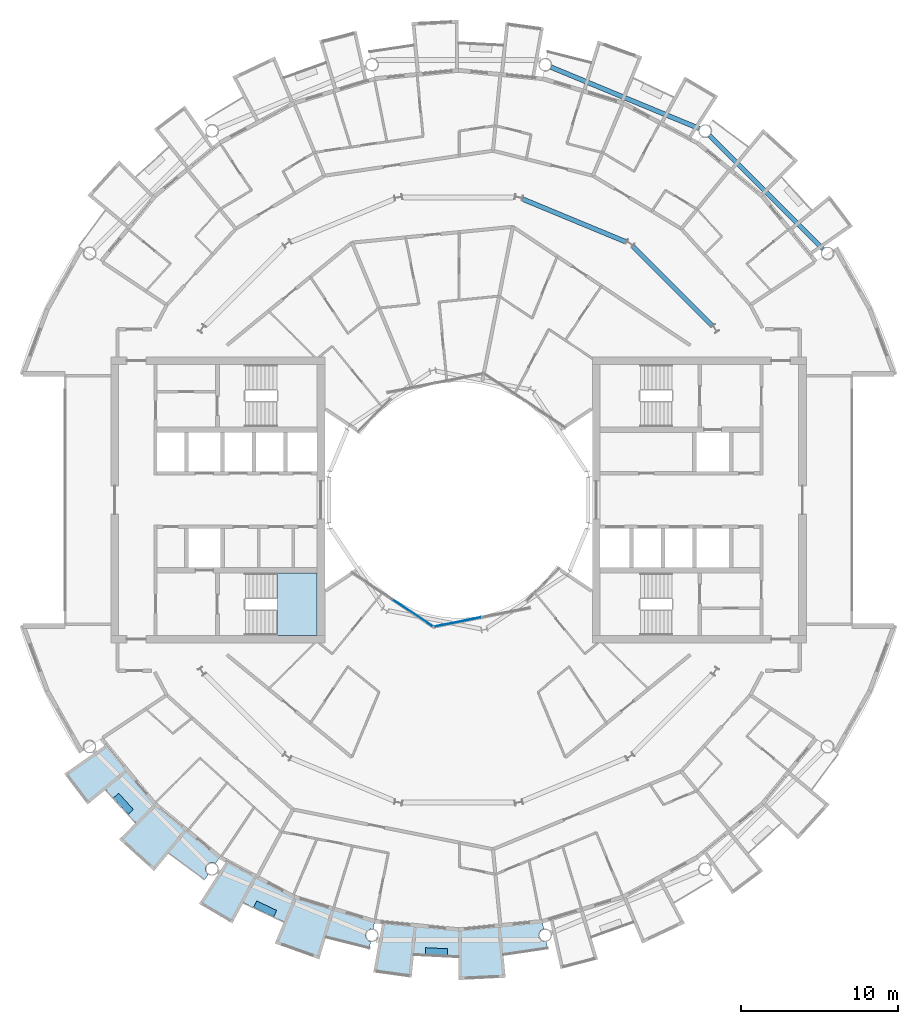
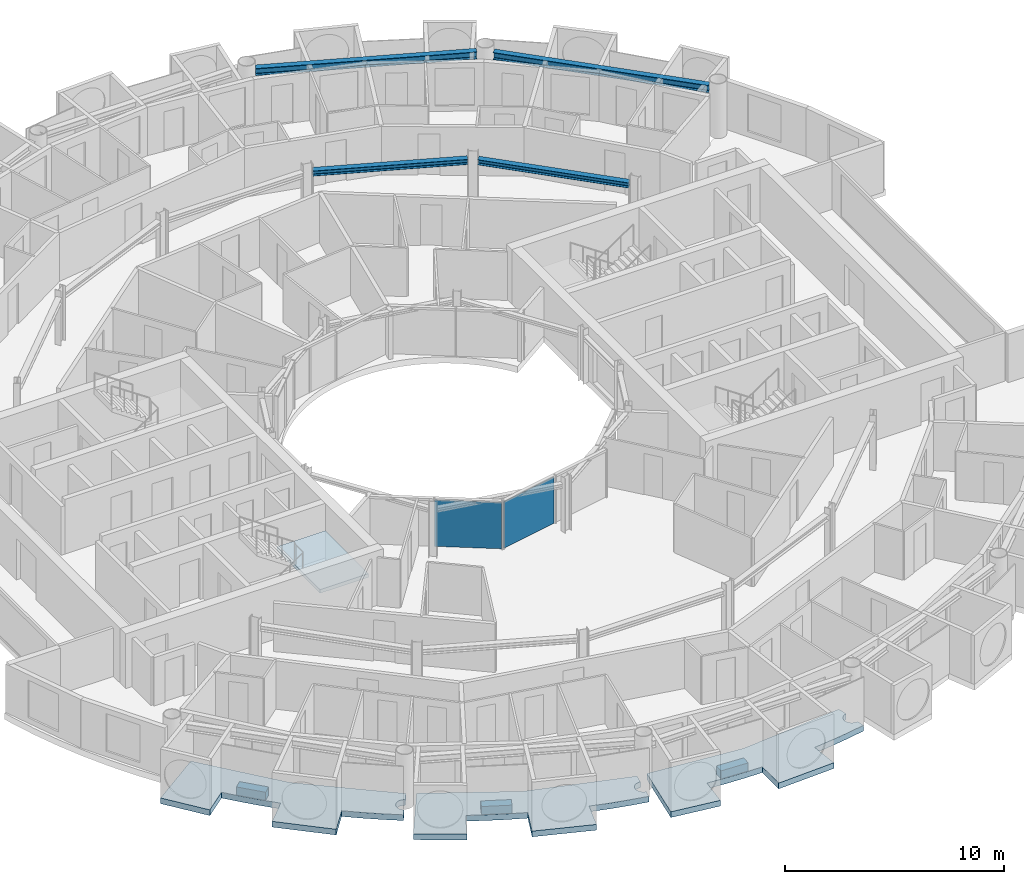
# One storey, part 10 of 27: 7 slabs, 4 beams, 2 plates, 3 elements without a shape of their own.
"""IFC4 building model written with IfcOpenShell, lengths in metres."""

from ifc_helpers import new_model, si_unit, direction, frame, origin, origin_2d, place, context, subcontext, project, spatial, polyline, rectangle, i_section, outline, extrude, material, layer, layer_set, material_profile, profile_set, type_object, element, aggregate, save


model = new_model("IFC4")

# Units and contexts
model_context = context("Model", 3, precision=1e-05, world=origin(), true_north=direction((0.0, 1.0)))
body_context = subcontext(model_context, "Body", "Model", "MODEL_VIEW")
ifc_project = project(units=[si_unit("LENGTHUNIT", "METRE"), si_unit("AREAUNIT", "SQUARE_METRE"), si_unit("VOLUMEUNIT", "CUBIC_METRE"), si_unit("PLANEANGLEUNIT", "RADIAN"), si_unit("MASSUNIT", "GRAM", prefix="KILO")], contexts=[model_context])

# Site, building, storey
site_placement = place(None, origin())
site = spatial("IfcSite", under=ifc_project, at=site_placement, CompositionType="ELEMENT")
building_placement = place(site_placement, origin())
building = spatial("IfcBuilding", under=site, at=building_placement, Name="Maasbend Ring Residences", CompositionType="ELEMENT")
storey_placement = place(building_placement, frame((0.0, 0.0, 148.25)))
storey = spatial("IfcBuildingStorey", under=building, at=storey_placement, Name="L42", CompositionType="ELEMENT", Elevation=148.25)

# Beams
ifc_material_1 = material(Name="Steel S355J2", Category="steel")
ifc_material_profile_1 = material_profile(ifc_material_1, i_section(OverallWidth=0.300048828125, OverallDepth=0.2900390625, WebThickness=0.008544921875, FlangeThickness=0.013916015625, FilletRadius=0.027099609375, at=origin_2d()), Name="HEA 300")
ifc_profile_set_1 = profile_set([ifc_material_profile_1], Name="Steel S355J2")
beam_type_1 = type_object("IfcBeamType", Name="Corridor ring beam HEA 300", PredefinedType="BEAM", material=ifc_profile_set_1)
for number, where, z_axis, x_axis, name in (
    (1, (16.11669921875, 11.0693359375, 2.554931640625), (-0.707106781187, 0.707106781187, 0.0), (-0.707106781187, -0.707106781187, 0.0), "Corridor ring beam"),
    (2, (10.65380859375, 16.394287109375, 2.554931640625), (-0.923871339849, 0.382703210602, 0.0), (-0.382703210602, -0.923871339849, 0.0), "Corridor ring beam"),
):
    element("IfcBeam", number, at=place(storey_placement, frame(where, z_axis=z_axis, x_axis=x_axis)), inside=storey, type_object=beam_type_1, Name=name, PredefinedType="BEAM", context=body_context, shape_type="SweptSolid", body=[
        extrude(i_section(OverallWidth=0.300048828125, OverallDepth=0.2900390625, WebThickness=0.008544921875, FlangeThickness=0.013916015625, FilletRadius=0.027099609375, at=origin_2d()), origin(), (0.0, 0.0, 1.0), 7.137939453125),
    ])
ifc_material_2 = material(Name="Steel S355J2", Category="steel")
ifc_material_profile_2 = material_profile(ifc_material_2, i_section(OverallWidth=0.300048828125, OverallDepth=0.39990234375, WebThickness=0.013427734375, FlangeThickness=0.02392578125, FilletRadius=0.027099609375, at=origin_2d()), Name="HEB 400")
ifc_profile_set_2 = profile_set([ifc_material_profile_2], Name="Steel S355J2")
beam_type_2 = type_object("IfcBeamType", Name="Spandrel ring beam HEB 400", PredefinedType="SPANDREL", material=ifc_profile_set_2)
for number, where, z_axis, x_axis, name in (
    (3, (23.159912109375, 15.95458984375, 2.5), (-0.707106781187, 0.707106781187, 0.0), (-0.707106781187, -0.707106781187, 0.0), "Spandrel ring beam"),
    (4, (15.29150390625, 23.60302734375, 2.5), (-0.923883676188, 0.382673428492, 0.0), (-0.382673428492, -0.923883676188, 0.0), "Spandrel ring beam"),
):
    element("IfcBeam", number, at=place(storey_placement, frame(where, z_axis=z_axis, x_axis=x_axis)), inside=storey, type_object=beam_type_2, Name=name, PredefinedType="SPANDREL", context=body_context, shape_type="SweptSolid", body=[
        extrude(i_section(OverallWidth=0.300048828125, OverallDepth=0.39990234375, WebThickness=0.013427734375, FlangeThickness=0.02392578125, FilletRadius=0.027099609375, at=origin_2d()), origin(), (0.0, 0.0, 1.0), 10.18994140625),
    ])

# Stair, slab
ifc_material_3 = material(Name="Concrete C40/50", Category="concrete")
stair_type = type_object("IfcStairType", Name="CORE STAIR 18 RISERS", PredefinedType="HALF_TURN_STAIR", material=ifc_material_3)
stair_placement = place(storey_placement, origin())
stair = element("IfcStair", 5, at=stair_placement, inside=storey, type_object=stair_type, Name="L42 Exit stair ST-W1", PredefinedType="HALF_TURN_STAIR")
ifc_material_4 = material(Name="Concrete C40/50", Category="concrete")
ifc_layer_1 = layer(ifc_material_4, 0.199951171875)
ifc_layer_set_1 = layer_set([ifc_layer_1], Name="Concrete C40/50")
slab_type_1 = type_object("IfcSlabType", Name="CORE STAIR LANDING 200", PredefinedType="LANDING", material=ifc_layer_set_1)
slab_1_placement = place(storey_placement, frame((0.0, 0.0, 1.324951171875)))
slab_1 = element("IfcSlab", 6, at=slab_1_placement, type_object=slab_type_1, Name="ST-W1 landing 1", PredefinedType="LANDING", context=body_context, shape_type="SweptSolid", body=[
    extrude(outline(polyline([(-11.550048828125, -8.60009765625), (-9.0, -8.60009765625), (-9.0, -4.64990234375), (-11.550048828125, -4.64990234375), (-11.550048828125, -8.60009765625)])), origin(), (0.0, 0.0, 1.0), 0.199951171875),
])
aggregate(stair, [slab_1])

# Curtain wall, plate
ifc_material_5 = material(Name="Aluminium and clear glass", Category="aluminium")
ifc_layer_2 = layer(ifc_material_5, 0.179931640625)
ifc_layer_set_2 = layer_set([ifc_layer_2], Name="CW-W")
curtain_wall_type = type_object("IfcCurtainWallType", Name="CW-W", PredefinedType="NOTDEFINED", material=ifc_layer_set_2)
curtain_wall_1_placement = place(storey_placement, origin())
curtain_wall_1 = element("IfcCurtainWall", 7, at=curtain_wall_1_placement, inside=storey, type_object=curtain_wall_type, Name="Well curtain wall S1", PredefinedType="NOTDEFINED")
ifc_material_6 = material(Name="Glass clear laminated", Category="glass")
ifc_layer_3 = layer(ifc_material_6, 0.031982421875)
ifc_layer_set_3 = layer_set([ifc_layer_3], Name="CWP-W")
plate_type = type_object("IfcPlateType", Name="CWP-W", PredefinedType="CURTAIN_PANEL", material=ifc_layer_set_3)
plate_1_placement = place(storey_placement, frame((-2.922119140625, -7.17578125, 0.0), z_axis=(0.0, 0.0, 1.0), x_axis=(0.831469612303, -0.55557023302, 0.0)))
plate_1 = element("IfcPlate", 8, at=plate_1_placement, type_object=plate_type, Name="Glass panel well face", PredefinedType="CURTAIN_PANEL", context=body_context, shape_type="SweptSolid", body=[
    extrude(rectangle(XDim=3.053955078125, YDim=0.031982421875, at=origin_2d()), origin(), (0.0, 0.0, 1.0), 2.580078125),
])
aggregate(curtain_wall_1, [plate_1])

curtain_wall_2_placement = place(storey_placement, origin())
curtain_wall_2 = element("IfcCurtainWall", 9, at=curtain_wall_2_placement, inside=storey, type_object=curtain_wall_type, Name="Well curtain wall S2", PredefinedType="NOTDEFINED")
plate_2_placement = place(storey_placement, frame((-0.04638671875, -7.747802734375, 0.0), z_axis=(0.0, 0.0, 1.0), x_axis=(0.980785280403, 0.195090322016, 0.0)))
plate_2 = element("IfcPlate", 10, at=plate_2_placement, type_object=plate_type, Name="Glass panel well face", PredefinedType="CURTAIN_PANEL", context=body_context, shape_type="SweptSolid", body=[
    extrude(rectangle(XDim=3.053955078125, YDim=0.031982421875, at=origin_2d()), origin(), (0.0, 0.0, 1.0), 2.580078125),
])
aggregate(curtain_wall_2, [plate_2])

# Slabs
ifc_material_7 = material(Name="Planting with climbing greenery")
ifc_layer_4 = layer(ifc_material_7, 0.449951171875)
ifc_layer_set_4 = layer_set([ifc_layer_4], Name="PLANTER-LG")
slab_type_2 = type_object("IfcSlabType", Name="PLANTER-LG", PredefinedType="USERDEFINED", material=ifc_layer_set_4)
slab_2_placement = place(storey_placement, frame((0.0, 0.0, -0.030029296875)))
element("IfcSlab", 11, at=slab_2_placement, inside=storey, type_object=slab_type_2, Name="Planter with climbing greenery 1", ObjectType="PLANTER", PredefinedType="USERDEFINED", context=body_context, shape_type="SweptSolid", body=[
    extrude(outline(polyline([(-21.931884765625, -18.93310546875), (-20.991943359375, -19.969970703125), (-20.657958984375, -19.66796875), (-21.597900390625, -18.631103515625), (-21.931884765625, -18.93310546875)])), origin(), (0.0, 0.0, 1.0), 0.449951171875),
])
slab_3_placement = place(storey_placement, frame((0.0, 0.0, -0.030029296875)))
element("IfcSlab", 12, at=slab_3_placement, inside=storey, type_object=slab_type_2, Name="Planter with climbing greenery 2", ObjectType="PLANTER", PredefinedType="USERDEFINED", context=body_context, shape_type="SweptSolid", body=[
    extrude(outline(polyline([(-13.01708984375, -25.885009765625), (-11.7509765625, -26.48291015625), (-11.55908203125, -26.076904296875), (-12.824951171875, -25.47802734375), (-13.01708984375, -25.885009765625)])), origin(), (0.0, 0.0, 1.0), 0.449951171875),
])
slab_4_placement = place(storey_placement, frame((0.0, 0.0, -0.030029296875)))
element("IfcSlab", 13, at=slab_4_placement, inside=storey, type_object=slab_type_2, Name="Planter with climbing greenery 3", ObjectType="PLANTER", PredefinedType="USERDEFINED", context=body_context, shape_type="SweptSolid", body=[
    extrude(outline(polyline([(-2.1201171875, -28.89599609375), (-0.721923828125, -28.965087890625), (-0.699951171875, -28.514892578125), (-2.097900390625, -28.446044921875), (-2.1201171875, -28.89599609375)])), origin(), (0.0, 0.0, 1.0), 0.449951171875),
])
ifc_material_8 = material(Name="Concrete C40/50", Category="concrete")
ifc_layer_5 = layer(ifc_material_8, 0.199951171875)
ifc_layer_set_5 = layer_set([ifc_layer_5], Name="Concrete C40/50")
slab_type_3 = type_object("IfcSlabType", Name="SL-LOGGIA", PredefinedType="FLOOR", material=ifc_layer_set_5)
slab_5_placement = place(storey_placement, frame((0.0, 0.0, -0.35009765625)))
element("IfcSlab", 14, at=slab_5_placement, inside=storey, type_object=slab_type_3, Name="Loggia floor 2", PredefinedType="FLOOR", context=body_context, shape_type="SweptSolid", body=[
    extrude(outline(polyline([(-12.806884765625, -23.9609375), (-10.447021484375, -25.221923828125), (-10.447021484375, -25.221923828125), (-10.447021484375, -25.221923828125), (-7.886962890625, -25.9990234375), (-5.325927734375, -26.77490234375), (-5.325927734375, -26.77490234375), (-5.325927734375, -26.77490234375), (-5.422119140625, -27.259033203125), (-5.431884765625, -27.258056640625), (-5.44189453125, -27.256103515625), (-5.451904296875, -27.2548828125), (-5.4619140625, -27.25390625), (-5.471923828125, -27.2529296875), (-5.48193359375, -27.251953125), (-5.491943359375, -27.251953125), (-5.501953125, -27.251953125), (-5.510986328125, -27.251953125), (-5.52099609375, -27.251953125), (-5.531005859375, -27.2529296875), (-5.541015625, -27.25390625), (-5.551025390625, -27.2548828125), (-5.56103515625, -27.256103515625), (-5.571044921875, -27.258056640625), (-5.5810546875, -27.259033203125), (-5.591064453125, -27.260986328125), (-5.60009765625, -27.263916015625), (-5.610107421875, -27.26611328125), (-5.6201171875, -27.26904296875), (-5.62890625, -27.27197265625), (-5.637939453125, -27.27490234375), (-5.64794921875, -27.279052734375), (-5.656982421875, -27.282958984375), (-5.666015625, -27.285888671875), (-5.675048828125, -27.291015625), (-5.68408203125, -27.294921875), (-5.693115234375, -27.300048828125), (-5.701904296875, -27.303955078125), (-5.7099609375, -27.30908203125), (-5.718994140625, -27.31494140625), (-5.72705078125, -27.320068359375), (-5.736083984375, -27.325927734375), (-5.743896484375, -27.33203125), (-5.751953125, -27.337890625), (-5.759033203125, -27.343994140625), (-5.76708984375, -27.35009765625), (-5.77392578125, -27.35693359375), (-5.781982421875, -27.364013671875), (-5.7890625, -27.37109375), (-5.7958984375, -27.3779296875), (-5.802978515625, -27.385009765625), (-5.80908203125, -27.39306640625), (-5.81591796875, -27.39990234375), (-5.822021484375, -27.407958984375), (-5.827880859375, -27.416015625), (-5.833984375, -27.424072265625), (-5.839111328125, -27.431884765625), (-5.844970703125, -27.44091796875), (-5.85009765625, -27.448974609375), (-5.85498046875, -27.4580078125), (-5.860107421875, -27.466064453125), (-5.864990234375, -27.47509765625), (-5.868896484375, -27.48388671875), (-5.873046875, -27.492919921875), (-5.876953125, -27.5029296875), (-5.881103515625, -27.511962890625), (-5.884033203125, -27.52099609375), (-5.886962890625, -27.531005859375), (-5.889892578125, -27.5400390625), (-5.89306640625, -27.550048828125), (-5.89599609375, -27.55908203125), (-5.89794921875, -27.569091796875), (-5.89990234375, -27.5791015625), (-5.902099609375, -27.589111328125), (-5.904052734375, -27.597900390625), (-5.905029296875, -27.60791015625), (-5.906005859375, -27.617919921875), (-5.906982421875, -27.6279296875), (-5.907958984375, -27.637939453125), (-5.907958984375, -27.64794921875), (-5.907958984375, -27.657958984375), (-5.907958984375, -27.66796875), (-5.907958984375, -27.677978515625), (-5.906982421875, -27.68798828125), (-5.906005859375, -27.697998046875), (-5.905029296875, -27.7080078125), (-5.904052734375, -27.718017578125), (-5.902099609375, -27.72802734375), (-5.89990234375, -27.737060546875), (-5.89794921875, -27.7470703125), (-5.89599609375, -27.757080078125), (-5.89306640625, -27.76708984375), (-5.889892578125, -27.77587890625), (-5.886962890625, -27.785888671875), (-5.884033203125, -27.794921875), (-5.881103515625, -27.803955078125), (-5.876953125, -27.81396484375), (-5.873046875, -27.822998046875), (-5.868896484375, -27.83203125), (-5.864990234375, -27.841064453125), (-5.860107421875, -27.85009765625), (-5.85498046875, -27.85791015625), (-5.85009765625, -27.866943359375), (-5.844970703125, -27.8759765625), (-5.839111328125, -27.884033203125), (-5.833984375, -27.89208984375), (-5.827880859375, -27.89990234375), (-5.822021484375, -27.907958984375), (-5.81591796875, -27.916015625), (-5.80908203125, -27.924072265625), (-5.802978515625, -27.930908203125), (-5.7958984375, -27.93798828125), (-5.7890625, -27.946044921875), (-5.781982421875, -27.952880859375), (-5.77392578125, -27.958984375), (-5.76708984375, -27.966064453125), (-5.759033203125, -27.971923828125), (-5.751953125, -27.97900390625), (-5.743896484375, -27.985107421875), (-5.736083984375, -27.989990234375), (-5.72705078125, -27.99609375), (-5.718994140625, -28.001953125), (-5.7099609375, -28.007080078125), (-5.701904296875, -28.011962890625), (-5.693115234375, -28.01708984375), (-5.68408203125, -28.02099609375), (-5.675048828125, -28.02587890625), (-5.666015625, -28.030029296875), (-5.656982421875, -28.033935546875), (-5.64794921875, -28.037109375), (-5.637939453125, -28.041015625), (-5.62890625, -28.0439453125), (-5.6201171875, -28.047119140625), (-5.610107421875, -28.050048828125), (-5.60009765625, -28.052001953125), (-5.591064453125, -28.054931640625), (-5.5810546875, -28.056884765625), (-5.657958984375, -28.443115234375), (-5.657958984375, -28.443115234375), (-5.657958984375, -28.443115234375), (-6.5849609375, -28.241943359375), (-6.5849609375, -28.241943359375), (-7.506103515625, -28.011962890625), (-7.506103515625, -28.011962890625), (-8.41796875, -27.7509765625), (-8.41796875, -27.7509765625), (-8.41796875, -27.7509765625), (-8.41796875, -27.7509765625), (-8.41796875, -27.7509765625), (-8.41796875, -27.7509765625), (-8.41796875, -27.7509765625), (-8.41796875, -27.7509765625), (-8.41796875, -27.7509765625), (-8.41796875, -27.7509765625), (-8.41796875, -27.751953125), (-8.41796875, -27.751953125), (-8.41796875, -27.751953125), (-8.41796875, -27.751953125), (-8.41796875, -27.751953125), (-8.41796875, -27.751953125), (-8.41796875, -27.751953125), (-8.85400390625, -29.18701171875), (-8.85400390625, -29.18701171875), (-8.85400390625, -29.18701171875), (-11.672119140625, -28.177978515625), (-11.672119140625, -28.177978515625), (-11.672119140625, -28.177978515625), (-11.097900390625, -26.79296875), (-11.097900390625, -26.79296875), (-11.097900390625, -26.79296875), (-11.097900390625, -26.79296875), (-11.097900390625, -26.79296875), (-11.097900390625, -26.79296875), (-11.097900390625, -26.79296875), (-11.097900390625, -26.79296875), (-11.097900390625, -26.79296875), (-11.097900390625, -26.79296875), (-11.097900390625, -26.7919921875), (-11.097900390625, -26.7919921875), (-11.097900390625, -26.7919921875), (-11.097900390625, -26.7919921875), (-11.097900390625, -26.7919921875), (-11.097900390625, -26.7919921875), (-11.097900390625, -26.7919921875), (-11.968994140625, -26.4150390625), (-11.968994140625, -26.4150390625), (-12.825927734375, -26.009033203125), (-12.825927734375, -26.009033203125), (-13.669921875, -25.575927734375), (-13.669921875, -25.575927734375), (-13.669921875, -25.575927734375), (-13.669921875, -25.575927734375), (-13.669921875, -25.575927734375), (-13.669921875, -25.575927734375), (-13.669921875, -25.575927734375), (-13.669921875, -25.575927734375), (-13.669921875, -25.575927734375), (-13.669921875, -25.575927734375), (-13.6708984375, -25.575927734375), (-13.6708984375, -25.575927734375), (-13.6708984375, -25.575927734375), (-13.6708984375, -25.575927734375), (-13.6708984375, -25.575927734375), (-13.6708984375, -25.575927734375), (-13.6708984375, -25.575927734375), (-14.3779296875, -26.89892578125), (-14.3779296875, -26.89892578125), (-14.3779296875, -26.89892578125), (-16.487060546875, -25.659912109375), (-16.487060546875, -25.659912109375), (-16.487060546875, -25.659912109375), (-14.73291015625, -22.930908203125), (-14.73291015625, -22.930908203125), (-14.73291015625, -22.930908203125), (-12.806884765625, -23.9609375)])), origin(), (0.0, 0.0, 1.0), 0.320068359375),
])
slab_6_placement = place(storey_placement, frame((0.0, 0.0, -0.35009765625)))
element("IfcSlab", 15, at=slab_6_placement, inside=storey, type_object=slab_type_3, Name="Loggia floor 3", PredefinedType="FLOOR", context=body_context, shape_type="SweptSolid", body=[
    extrude(outline(polyline([(-2.6630859375, -27.0380859375), (0.0, -27.300048828125), (0.0, -27.300048828125), (0.0, -27.300048828125), (2.6630859375, -27.0380859375), (5.325927734375, -26.77490234375), (5.325927734375, -26.77490234375), (5.325927734375, -26.77490234375), (5.422119140625, -27.259033203125), (5.422119140625, -27.259033203125), (5.412109375, -27.260986328125), (5.403076171875, -27.263916015625), (5.39306640625, -27.26611328125), (5.383056640625, -27.26904296875), (5.3740234375, -27.27197265625), (5.364990234375, -27.27490234375), (5.35498046875, -27.279052734375), (5.345947265625, -27.282958984375), (5.3369140625, -27.285888671875), (5.327880859375, -27.291015625), (5.319091796875, -27.294921875), (5.31005859375, -27.300048828125), (5.301025390625, -27.303955078125), (5.29296875, -27.30908203125), (5.283935546875, -27.31494140625), (5.27587890625, -27.320068359375), (5.26708984375, -27.325927734375), (5.259033203125, -27.33203125), (5.2509765625, -27.337890625), (5.243896484375, -27.343994140625), (5.236083984375, -27.35009765625), (5.22900390625, -27.35693359375), (5.220947265625, -27.364013671875), (5.214111328125, -27.37109375), (5.20703125, -27.3779296875), (5.199951171875, -27.385009765625), (5.194091796875, -27.39306640625), (5.18701171875, -27.39990234375), (5.180908203125, -27.407958984375), (5.175048828125, -27.416015625), (5.1689453125, -27.424072265625), (5.1640625, -27.431884765625), (5.157958984375, -27.44091796875), (5.153076171875, -27.448974609375), (5.14794921875, -27.4580078125), (5.14306640625, -27.466064453125), (5.137939453125, -27.47509765625), (5.134033203125, -27.48388671875), (5.1298828125, -27.492919921875), (5.1259765625, -27.5029296875), (5.1220703125, -27.511962890625), (5.118896484375, -27.52099609375), (5.115966796875, -27.531005859375), (5.113037109375, -27.5400390625), (5.110107421875, -27.550048828125), (5.10693359375, -27.55908203125), (5.10498046875, -27.569091796875), (5.10302734375, -27.5791015625), (5.10107421875, -27.589111328125), (5.09912109375, -27.597900390625), (5.097900390625, -27.60791015625), (5.096923828125, -27.617919921875), (5.095947265625, -27.6279296875), (5.094970703125, -27.637939453125), (5.094970703125, -27.64794921875), (5.094970703125, -27.657958984375), (5.094970703125, -27.66796875), (5.094970703125, -27.677978515625), (5.095947265625, -27.68798828125), (5.096923828125, -27.697998046875), (5.097900390625, -27.7080078125), (5.09912109375, -27.718017578125), (5.10107421875, -27.72802734375), (5.10302734375, -27.737060546875), (5.10498046875, -27.7470703125), (5.10693359375, -27.757080078125), (5.110107421875, -27.76708984375), (5.113037109375, -27.77587890625), (5.115966796875, -27.785888671875), (5.118896484375, -27.794921875), (5.1220703125, -27.803955078125), (5.1259765625, -27.81396484375), (5.1298828125, -27.822998046875), (5.134033203125, -27.83203125), (5.137939453125, -27.841064453125), (5.14306640625, -27.85009765625), (5.14794921875, -27.85791015625), (5.153076171875, -27.866943359375), (5.157958984375, -27.8759765625), (5.1640625, -27.884033203125), (5.1689453125, -27.89208984375), (5.175048828125, -27.89990234375), (5.180908203125, -27.907958984375), (5.18701171875, -27.916015625), (5.194091796875, -27.924072265625), (5.199951171875, -27.930908203125), (5.20703125, -27.93798828125), (5.214111328125, -27.946044921875), (5.220947265625, -27.952880859375), (5.22900390625, -27.958984375), (5.236083984375, -27.966064453125), (5.243896484375, -27.971923828125), (5.2509765625, -27.97900390625), (5.259033203125, -27.985107421875), (5.26708984375, -27.989990234375), (5.27587890625, -27.99609375), (5.283935546875, -28.001953125), (5.29296875, -28.007080078125), (5.301025390625, -28.011962890625), (5.31005859375, -28.01708984375), (5.319091796875, -28.02099609375), (5.327880859375, -28.02587890625), (5.3369140625, -28.030029296875), (5.345947265625, -28.033935546875), (5.35498046875, -28.037109375), (5.364990234375, -28.041015625), (5.3740234375, -28.0439453125), (5.383056640625, -28.047119140625), (5.39306640625, -28.050048828125), (5.403076171875, -28.052001953125), (5.412109375, -28.054931640625), (5.422119140625, -28.056884765625), (5.431884765625, -28.05908203125), (5.44189453125, -28.06005859375), (5.451904296875, -28.06201171875), (5.4619140625, -28.06298828125), (5.471923828125, -28.06298828125), (5.48193359375, -28.06396484375), (5.491943359375, -28.06396484375), (5.501953125, -28.06494140625), (5.510986328125, -28.06396484375), (5.52099609375, -28.06396484375), (5.531005859375, -28.06298828125), (5.541015625, -28.06298828125), (5.551025390625, -28.06201171875), (5.56103515625, -28.06005859375), (5.571044921875, -28.05908203125), (5.5810546875, -28.056884765625), (5.5810546875, -28.056884765625), (5.657958984375, -28.443115234375), (5.657958984375, -28.443115234375), (5.657958984375, -28.443115234375), (4.72412109375, -28.613037109375), (4.72412109375, -28.613037109375), (3.784912109375, -28.751953125), (3.784912109375, -28.751953125), (2.843017578125, -28.860107421875), (2.843017578125, -28.860107421875), (2.843017578125, -28.860107421875), (2.843017578125, -28.860107421875), (2.843017578125, -28.860107421875), (2.843017578125, -28.860107421875), (2.843017578125, -28.860107421875), (2.843017578125, -28.860107421875), (2.843017578125, -28.860107421875), (2.843017578125, -28.861083984375), (2.843017578125, -28.861083984375), (2.843017578125, -28.861083984375), (2.843017578125, -28.861083984375), (2.843017578125, -28.861083984375), (2.843017578125, -28.861083984375), (2.843017578125, -28.861083984375), (2.843017578125, -28.861083984375), (2.989990234375, -30.35302734375), (2.989990234375, -30.35302734375), (2.989990234375, -30.35302734375), (0.0, -30.5), (0.0, -30.5), (0.0, -30.5), (0.0, -29.0), (0.0, -29.0), (0.0, -29.0), (0.0, -29.0), (0.0, -29.0), (0.0, -29.0), (0.0, -29.0), (0.0, -29.0), (0.0, -29.0), (0.0, -29.0), (0.0, -29.0), (0.0, -29.0), (0.0, -29.0), (0.0, -29.0), (0.0, -29.0), (0.0, -29.0), (0.0, -29.0), (-0.948974609375, -28.98388671875), (-0.948974609375, -28.98388671875), (-1.89697265625, -28.93798828125), (-1.89697265625, -28.93798828125), (-2.842041015625, -28.860107421875), (-2.842041015625, -28.860107421875), (-2.842041015625, -28.860107421875), (-2.842041015625, -28.860107421875), (-2.842041015625, -28.860107421875), (-2.842041015625, -28.860107421875), (-2.842041015625, -28.860107421875), (-2.842041015625, -28.860107421875), (-2.842041015625, -28.861083984375), (-2.842041015625, -28.861083984375), (-2.842041015625, -28.861083984375), (-2.842041015625, -28.861083984375), (-2.842041015625, -28.861083984375), (-2.843017578125, -28.861083984375), (-2.843017578125, -28.861083984375), (-2.843017578125, -28.861083984375), (-2.843017578125, -28.861083984375), (-2.989990234375, -30.35302734375), (-2.989990234375, -30.35302734375), (-2.989990234375, -30.35302734375), (-5.412109375, -30.01611328125), (-5.412109375, -30.01611328125), (-5.412109375, -30.01611328125), (-4.8359375, -26.823974609375), (-4.8359375, -26.823974609375), (-4.8359375, -26.823974609375), (-2.6630859375, -27.0380859375)])), origin(), (0.0, 0.0, 1.0), 0.320068359375),
])
slab_7_placement = place(storey_placement, frame((0.0, 0.0, -0.35009765625)))
element("IfcSlab", 16, at=slab_7_placement, inside=storey, type_object=slab_type_3, Name="Loggia floor 5", PredefinedType="FLOOR", context=body_context, shape_type="SweptSolid", body=[
    extrude(outline(polyline([(-21.001953125, -17.236083984375), (-19.303955078125, -19.303955078125), (-19.303955078125, -19.303955078125), (-19.303955078125, -19.303955078125), (-17.236083984375, -21.001953125), (-15.1669921875, -22.698974609375), (-15.1669921875, -22.698974609375), (-15.1669921875, -22.698974609375), (-15.44091796875, -23.10888671875), (-15.44091796875, -23.10888671875), (-15.449951171875, -23.10400390625), (-15.4580078125, -23.09912109375), (-15.467041015625, -23.093994140625), (-15.47509765625, -23.089111328125), (-15.48388671875, -23.083984375), (-15.492919921875, -23.080078125), (-15.501953125, -23.075927734375), (-15.511962890625, -23.072021484375), (-15.52099609375, -23.068115234375), (-15.530029296875, -23.06494140625), (-15.5400390625, -23.06103515625), (-15.549072265625, -23.05810546875), (-15.55908203125, -23.055908203125), (-15.568115234375, -23.052978515625), (-15.577880859375, -23.051025390625), (-15.587890625, -23.049072265625), (-15.597900390625, -23.047119140625), (-15.60693359375, -23.044921875), (-15.616943359375, -23.0439453125), (-15.626953125, -23.04296875), (-15.636962890625, -23.0419921875), (-15.64697265625, -23.041015625), (-15.656982421875, -23.041015625), (-15.6669921875, -23.041015625), (-15.677001953125, -23.041015625), (-15.68701171875, -23.041015625), (-15.697021484375, -23.0419921875), (-15.70703125, -23.04296875), (-15.717041015625, -23.0439453125), (-15.72705078125, -23.044921875), (-15.737060546875, -23.047119140625), (-15.74609375, -23.049072265625), (-15.756103515625, -23.051025390625), (-15.76611328125, -23.052978515625), (-15.77587890625, -23.055908203125), (-15.784912109375, -23.05810546875), (-15.794921875, -23.06103515625), (-15.803955078125, -23.06494140625), (-15.81298828125, -23.068115234375), (-15.822998046875, -23.072021484375), (-15.83203125, -23.075927734375), (-15.841064453125, -23.080078125), (-15.85009765625, -23.083984375), (-15.85888671875, -23.089111328125), (-15.866943359375, -23.093994140625), (-15.8759765625, -23.09912109375), (-15.885009765625, -23.10400390625), (-15.89306640625, -23.10888671875), (-15.90087890625, -23.114990234375), (-15.908935546875, -23.12109375), (-15.9169921875, -23.126953125), (-15.925048828125, -23.133056640625), (-15.93310546875, -23.139892578125), (-15.93994140625, -23.14599609375), (-15.947021484375, -23.153076171875), (-15.955078125, -23.159912109375), (-15.9619140625, -23.1669921875), (-15.968017578125, -23.174072265625), (-15.97509765625, -23.181884765625), (-15.98095703125, -23.18994140625), (-15.988037109375, -23.197021484375), (-15.993896484375, -23.205078125), (-15.9990234375, -23.212890625), (-16.0048828125, -23.221923828125), (-16.010986328125, -23.22998046875), (-16.01611328125, -23.238037109375), (-16.02099609375, -23.2470703125), (-16.02587890625, -23.256103515625), (-16.030029296875, -23.264892578125), (-16.034912109375, -23.27392578125), (-16.0390625, -23.282958984375), (-16.04296875, -23.2919921875), (-16.0458984375, -23.301025390625), (-16.050048828125, -23.31005859375), (-16.052978515625, -23.320068359375), (-16.055908203125, -23.3291015625), (-16.05908203125, -23.339111328125), (-16.06103515625, -23.34912109375), (-16.06396484375, -23.35791015625), (-16.06591796875, -23.367919921875), (-16.068115234375, -23.3779296875), (-16.069091796875, -23.387939453125), (-16.071044921875, -23.39794921875), (-16.072021484375, -23.407958984375), (-16.072021484375, -23.4169921875), (-16.072998046875, -23.427001953125), (-16.072998046875, -23.43701171875), (-16.073974609375, -23.447021484375), (-16.072998046875, -23.45703125), (-16.072998046875, -23.467041015625), (-16.072021484375, -23.47705078125), (-16.072021484375, -23.487060546875), (-16.071044921875, -23.4970703125), (-16.069091796875, -23.507080078125), (-16.068115234375, -23.51708984375), (-16.06591796875, -23.527099609375), (-16.06396484375, -23.535888671875), (-16.06103515625, -23.5458984375), (-16.05908203125, -23.555908203125), (-16.055908203125, -23.56494140625), (-16.052978515625, -23.574951171875), (-16.050048828125, -23.583984375), (-16.0458984375, -23.593994140625), (-16.04296875, -23.60302734375), (-16.0390625, -23.612060546875), (-16.034912109375, -23.62109375), (-16.030029296875, -23.6298828125), (-16.02587890625, -23.638916015625), (-16.02099609375, -23.64794921875), (-16.01611328125, -23.656005859375), (-16.010986328125, -23.6650390625), (-16.0048828125, -23.673095703125), (-15.9990234375, -23.680908203125), (-15.993896484375, -23.68994140625), (-15.988037109375, -23.697021484375), (-15.98095703125, -23.705078125), (-15.97509765625, -23.712890625), (-15.968017578125, -23.719970703125), (-15.9619140625, -23.72802734375), (-15.955078125, -23.735107421875), (-15.947021484375, -23.741943359375), (-15.93994140625, -23.7490234375), (-15.93310546875, -23.7548828125), (-15.925048828125, -23.761962890625), (-15.9169921875, -23.76806640625), (-15.908935546875, -23.77392578125), (-15.90087890625, -23.780029296875), (-15.89306640625, -23.784912109375), (-15.89306640625, -23.784912109375), (-16.112060546875, -24.113037109375), (-16.112060546875, -24.113037109375), (-16.112060546875, -24.113037109375), (-16.89208984375, -23.572998046875), (-16.89208984375, -23.572998046875), (-17.654052734375, -23.007080078125), (-17.654052734375, -23.007080078125), (-18.39697265625, -22.41796875), (-18.39697265625, -22.41796875), (-18.39697265625, -22.41796875), (-18.39697265625, -22.41796875), (-18.39697265625, -22.41796875), (-18.39697265625, -22.41796875), (-18.39697265625, -22.41796875), (-18.39697265625, -22.41796875), (-18.39697265625, -22.41796875), (-18.39697265625, -22.41796875), (-18.39697265625, -22.41796875), (-18.39794921875, -22.41796875), (-18.39794921875, -22.41796875), (-18.39794921875, -22.41796875), (-18.39794921875, -22.41796875), (-18.39794921875, -22.41796875), (-18.39794921875, -22.41796875), (-19.34912109375, -23.576904296875), (-19.34912109375, -23.576904296875), (-19.34912109375, -23.576904296875), (-21.56689453125, -21.56689453125), (-21.56689453125, -21.56689453125), (-21.56689453125, -21.56689453125), (-20.506103515625, -20.506103515625), (-20.506103515625, -20.506103515625), (-20.506103515625, -20.506103515625), (-20.506103515625, -20.506103515625), (-20.506103515625, -20.506103515625), (-20.506103515625, -20.506103515625), (-20.506103515625, -20.506103515625), (-20.506103515625, -20.506103515625), (-20.506103515625, -20.506103515625), (-20.506103515625, -20.506103515625), (-20.506103515625, -20.506103515625), (-20.506103515625, -20.506103515625), (-20.506103515625, -20.506103515625), (-20.506103515625, -20.506103515625), (-20.506103515625, -20.506103515625), (-20.506103515625, -20.506103515625), (-20.506103515625, -20.506103515625), (-21.166015625, -19.823974609375), (-21.166015625, -19.823974609375), (-21.802978515625, -19.12109375), (-21.802978515625, -19.12109375), (-22.4169921875, -18.39794921875), (-22.4169921875, -18.39794921875), (-22.4169921875, -18.39794921875), (-22.4169921875, -18.39794921875), (-22.4169921875, -18.39794921875), (-22.4169921875, -18.39794921875), (-22.4169921875, -18.39794921875), (-22.4169921875, -18.39794921875), (-22.4169921875, -18.39794921875), (-22.4169921875, -18.39794921875), (-22.4169921875, -18.39794921875), (-22.4169921875, -18.39794921875), (-22.41796875, -18.39794921875), (-22.41796875, -18.39794921875), (-22.41796875, -18.39794921875), (-22.41796875, -18.39794921875), (-22.41796875, -18.39794921875), (-23.576904296875, -19.34912109375), (-23.576904296875, -19.34912109375), (-23.576904296875, -19.34912109375), (-25.051025390625, -17.39794921875), (-25.051025390625, -17.39794921875), (-25.051025390625, -17.39794921875), (-22.386962890625, -15.547119140625), (-22.386962890625, -15.547119140625), (-22.386962890625, -15.547119140625), (-21.001953125, -17.236083984375)])), origin(), (0.0, 0.0, 1.0), 0.320068359375),
])

save(model, "model.ifc")
